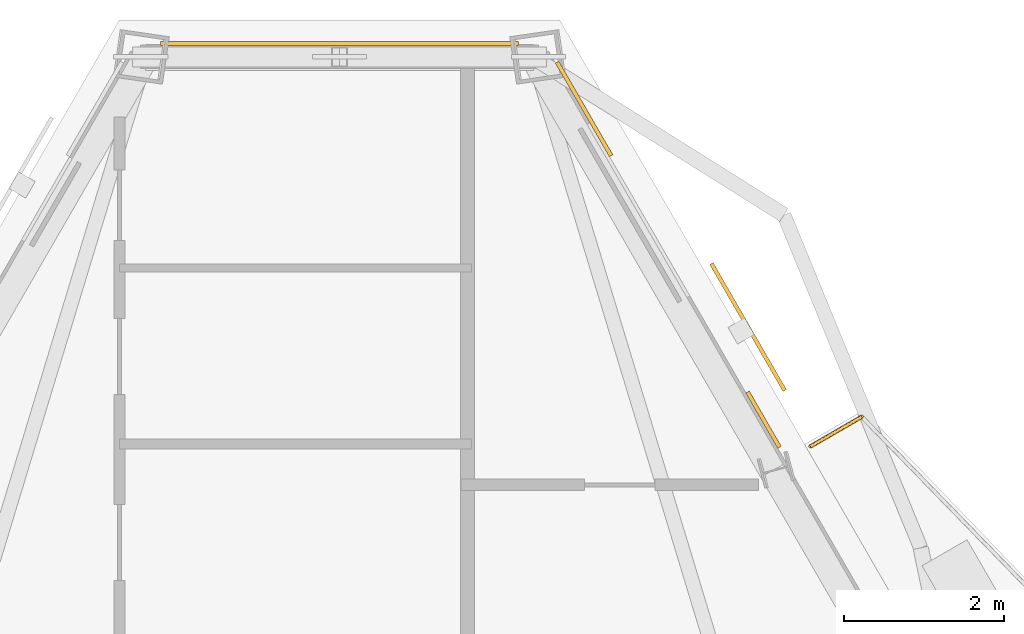
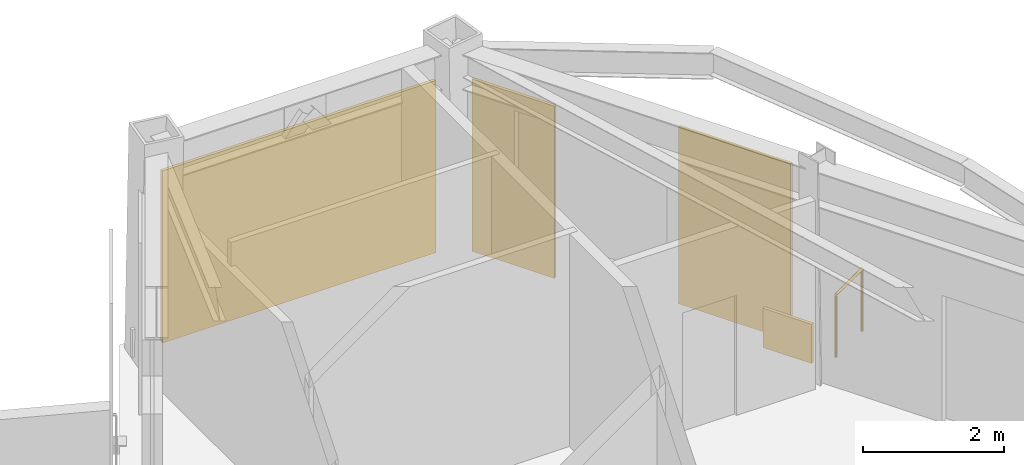
# One storey, part 15 of 15: 3 coverings, 1 railing, 1 shading device.
"""IFC4 building model written with IfcOpenShell, lengths in metres."""

from ifc_helpers import new_model, si_unit, direction, frame, origin, origin_2d, place, context, subcontext, project, spatial, rectangle, circle, extrude, material, layer, layer_set, type_object, element, save


model = new_model("IFC4")

# Units and contexts
model_context = context("Model", 3, precision=1e-05, world=origin(), true_north=direction((0.0, 1.0)))
body_context = subcontext(model_context, "Body", "Model", "MODEL_VIEW")
ifc_project = project(units=[si_unit("LENGTHUNIT", "METRE"), si_unit("AREAUNIT", "SQUARE_METRE"), si_unit("VOLUMEUNIT", "CUBIC_METRE"), si_unit("PLANEANGLEUNIT", "RADIAN"), si_unit("MASSUNIT", "GRAM", prefix="KILO")], contexts=[model_context])

# Site, building, storey
site_placement = place(None, origin())
site = spatial("IfcSite", under=ifc_project, at=site_placement, CompositionType="ELEMENT")
building_placement = place(site_placement, origin())
building = spatial("IfcBuilding", under=site, at=building_placement, Name="Oramaril Tower", CompositionType="ELEMENT")
storey_placement = place(building_placement, frame((0.0, 0.0, 265.5)))
storey = spatial("IfcBuildingStorey", under=building, at=storey_placement, Name="L70", CompositionType="ELEMENT", Elevation=265.5)

# Coverings
ifc_material_1 = material(Name="Warm Cream Limestone", Category="masonry")
ifc_layer = layer(ifc_material_1, 0.050048828125)
ifc_layer_set = layer_set([ifc_layer], Name="CVT-CLD")
covering_type = type_object("IfcCoveringType", Name="CVT-CLD", PredefinedType="CLADDING", material=ifc_layer_set)
covering_1_placement = place(storey_placement, frame((40.55810546875, 42.389404296875, 0.0400390625), z_axis=(0.0, 0.0, 1.0), x_axis=(-0.4999984885, 0.866026276448, 0.0)))
element("IfcCovering", 1, at=covering_1_placement, inside=storey, type_object=covering_type, Name="L70 Warm Cream Limestone Cladding", PredefinedType="CLADDING", context=body_context, shape_type="SweptSolid", body=[
    extrude(rectangle(XDim=1.35009765625, YDim=0.050048828125, at=origin_2d()), origin(), (0.0, 0.0, 1.0), 2.97802734375),
])
covering_2_placement = place(storey_placement, frame((42.801025390625, 38.504638671875, 0.0400390625), z_axis=(0.0, 0.0, 1.0), x_axis=(-0.4999984885, 0.866026276448, 0.0)))
element("IfcCovering", 2, at=covering_2_placement, inside=storey, type_object=covering_type, Name="L70 Warm Cream Limestone Spandrel Cladding", PredefinedType="CLADDING", context=body_context, shape_type="SweptSolid", body=[
    extrude(rectangle(XDim=0.800048828125, YDim=0.050048828125, at=origin_2d()), origin(), (0.0, 0.0, 1.0), 0.679931640625),
])
covering_3_placement = place(storey_placement, frame((37.5, 43.209716796875, 0.0400390625), z_axis=(0.0, 0.0, 1.0), x_axis=(-1.0, 0.0, 0.0)))
element("IfcCovering", 3, at=covering_3_placement, inside=storey, type_object=covering_type, Name="L70 Warm Cream Limestone Cladding", PredefinedType="CLADDING", context=body_context, shape_type="SweptSolid", body=[
    extrude(rectangle(XDim=4.475341796875, YDim=0.050048828125, at=origin_2d()), origin(), (0.0, 0.0, 1.0), 2.97802734375),
])

# Railing
ifc_material_2 = material(Name="Stainless Steel 316L", Category="steel")
railing_type = type_object("IfcRailingType", Name="RLT-GRD", PredefinedType="GUARDRAIL", material=ifc_material_2)
railing_placement = place(storey_placement, frame((43.387451171875, 38.169189453125, 0.0)))
element("IfcRailing", 4, at=railing_placement, inside=storey, type_object=railing_type, Name="L70 Balcony Guardrail L70-BAL-NE2.1", PredefinedType="GUARDRAIL", context=body_context, shape_type="SweptSolid", body=[
    extrude(circle(Radius=0.02392578125, at=origin_2d()), frame((0.0, 0.0, 1.076171875), z_axis=(0.865884080729, 0.500244698863, 0.0), x_axis=(-0.500244698863, 0.865884080729, 0.0)), (0.0, 0.0, 1.0), 0.741943359375),
    extrude(circle(Radius=0.02099609375, at=origin_2d()), origin(), (0.0, 0.0, 1.0), 1.052001953125),
    extrude(circle(Radius=0.02099609375, at=origin_2d()), frame((0.642333984375, 0.37109375, 0.0)), (0.0, 0.0, 1.0), 1.052001953125),
])

# Shading device
shading_device_placement = place(storey_placement, frame((42.608154296875, 39.66259765625, -0.02001953125), z_axis=(0.0, 0.0, 1.0), x_axis=(-0.5, 0.866025403784, 0.0)))
element("IfcShadingDevice", 5, at=shading_device_placement, inside=storey, Name="L70 Perforated Ceramic Solar Screen", ObjectType="SCREEN", PredefinedType="USERDEFINED", context=body_context, shape_type="SweptSolid", body=[
    extrude(rectangle(XDim=1.8330078125, YDim=0.050048828125, at=origin_2d()), origin(), (0.0, 0.0, 1.0), 3.05810546875),
])

save(model, "model.ifc")
